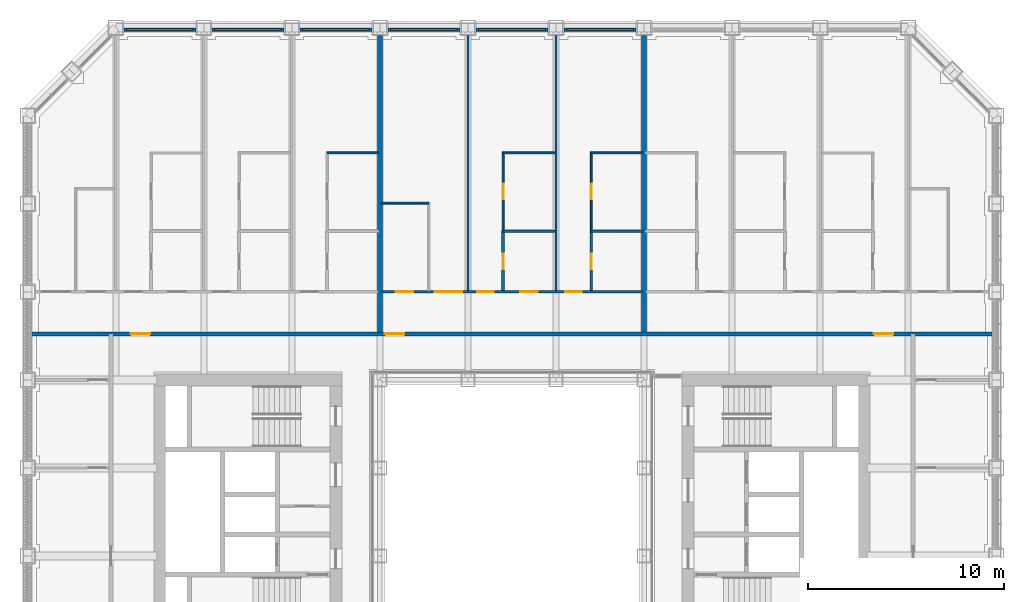
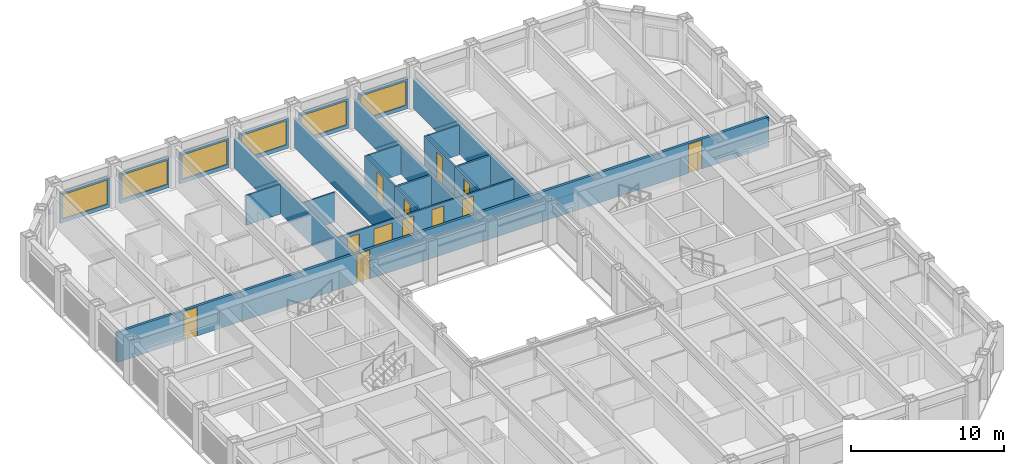
# One storey, part 14 of 21: 22 walls, 12 doors, 6 windows, 18 openings.
"""IFC4 building model written with IfcOpenShell, lengths in metres."""

from ifc_helpers import new_model, si_unit, direction, frame, frame_2d, origin, place, context, subcontext, project, spatial, rectangle, extrude, material, layer, layer_set, type_object, element, fill, save


model = new_model("IFC4")

# Units and contexts
model_context = context("Model", 3, precision=1e-05, world=origin(), true_north=direction((0.0, 1.0)))
body_context = subcontext(model_context, "Body", "Model", "MODEL_VIEW")
ifc_project = project(units=[si_unit("LENGTHUNIT", "METRE"), si_unit("AREAUNIT", "SQUARE_METRE"), si_unit("VOLUMEUNIT", "CUBIC_METRE"), si_unit("PLANEANGLEUNIT", "RADIAN"), si_unit("MASSUNIT", "GRAM", prefix="KILO")], contexts=[model_context])

# Site, building, storey
site_placement = place(None, origin())
site = spatial("IfcSite", under=ifc_project, at=site_placement, CompositionType="ELEMENT")
building_placement = place(site_placement, origin())
building = spatial("IfcBuilding", under=site, at=building_placement, Name="Msasa Ring Tower", CompositionType="ELEMENT")
storey_placement = place(building_placement, frame((0.0, 0.0, 75.5)))
storey = spatial("IfcBuildingStorey", under=building, at=storey_placement, Name="L19", CompositionType="ELEMENT", Elevation=75.5)

# Wall, opening, window
ifc_material_1 = material(Name="Terracotta rainscreen on blockwork", Category="masonry")
ifc_layer_1 = layer(ifc_material_1, 0.199951171875)
ifc_layer_set_1 = layer_set([ifc_layer_1], Name="FW1 TERRACOTTA-LINED INFILL BAY WALL 200")
wall_type_1 = type_object("IfcWallType", Name="FW1 TERRACOTTA-LINED INFILL BAY WALL 200", PredefinedType="SOLIDWALL", material=ifc_layer_set_1)
wall_1_placement = place(storey_placement, frame((-19.844970703125, 24.64990234375, 0.0), z_axis=(0.0, 0.0, 1.0), x_axis=(1.0, 0.0, 0.0)))
wall_1 = element("IfcWall", 1, at=wall_1_placement, inside=storey, type_object=wall_type_1, Name="Infill bay wall N L19 22", PredefinedType="SOLIDWALL", context=body_context, shape_type="SweptSolid", body=[
    extrude(rectangle(XDim=3.68994140625, YDim=0.199951171875, at=frame_2d((1.844970703125, 0.0))), origin(), (0.0, 0.0, 1.0), 2.37890625),
])
opening_1_placement = place(wall_1_placement, frame((0.14501953125, 0.0, 0.300048828125)))
opening_1 = element("IfcOpeningElement", 2, at=opening_1_placement, cuts=wall_1, Name="Opening WN1", PredefinedType="OPENING", context=body_context, shape_type="SweptSolid", body=[
    extrude(rectangle(XDim=3.39990234375, YDim=1.928955078125, at=frame_2d((1.699951171875, 0.96435546875))), frame((0.0, 0.10986328125, 0.0), z_axis=(0.0, -1.0, 0.0), x_axis=(1.0, 0.0, 0.0)), (0.0, 0.0, 1.0), 0.219970703125),
])
ifc_material_2 = material(Name="Aluminium frame with clear glass", Category="aluminium")
window_type = type_object("IfcWindowType", Name="WN1 RESIDENCE WINDOW 3400x1929", PartitioningType="SINGLE_PANEL", PredefinedType="WINDOW", material=ifc_material_2)
window_1_placement = place(opening_1_placement, origin())
window_1 = element("IfcWindow", 3, at=window_1_placement, inside=storey, type_object=window_type, Name="Window N L19 22", OverallHeight=1.928955078125, OverallWidth=3.39990234375, PartitioningType="SINGLE_PANEL", PredefinedType="WINDOW", context=body_context, shape_type="SweptSolid", body=[
    extrude(rectangle(XDim=3.39990234375, YDim=1.928955078125, at=frame_2d((1.699951171875, 0.96435546875))), frame((0.0, 0.030029296875, 0.0), z_axis=(0.0, -1.0, 0.0), x_axis=(1.0, 0.0, 0.0)), (0.0, 0.0, 1.0), 0.06005859375),
])
fill(opening_1, window_1)

wall_2_placement = place(storey_placement, frame((-15.344970703125, 24.64990234375, 0.0), z_axis=(0.0, 0.0, 1.0), x_axis=(1.0, 0.0, 0.0)))
wall_2 = element("IfcWall", 4, at=wall_2_placement, inside=storey, type_object=wall_type_1, Name="Infill bay wall N L19 23", PredefinedType="SOLIDWALL", context=body_context, shape_type="SweptSolid", body=[
    extrude(rectangle(XDim=3.68994140625, YDim=0.199951171875, at=frame_2d((1.844970703125, 0.0))), origin(), (0.0, 0.0, 1.0), 2.37890625),
])
opening_2_placement = place(wall_2_placement, frame((0.14501953125, 0.0, 0.300048828125)))
opening_2 = element("IfcOpeningElement", 5, at=opening_2_placement, cuts=wall_2, Name="Opening WN1", PredefinedType="OPENING", context=body_context, shape_type="SweptSolid", body=[
    extrude(rectangle(XDim=3.39990234375, YDim=1.928955078125, at=frame_2d((1.699951171875, 0.96435546875))), frame((0.0, 0.10986328125, 0.0), z_axis=(0.0, -1.0, 0.0), x_axis=(1.0, 0.0, 0.0)), (0.0, 0.0, 1.0), 0.219970703125),
])
window_2_placement = place(opening_2_placement, origin())
window_2 = element("IfcWindow", 6, at=window_2_placement, inside=storey, type_object=window_type, Name="Window N L19 23", OverallHeight=1.928955078125, OverallWidth=3.39990234375, PartitioningType="SINGLE_PANEL", PredefinedType="WINDOW", context=body_context, shape_type="SweptSolid", body=[
    extrude(rectangle(XDim=3.39990234375, YDim=1.928955078125, at=frame_2d((1.699951171875, 0.96435546875))), frame((0.0, 0.030029296875, 0.0), z_axis=(0.0, -1.0, 0.0), x_axis=(1.0, 0.0, 0.0)), (0.0, 0.0, 1.0), 0.06005859375),
])
fill(opening_2, window_2)

wall_3_placement = place(storey_placement, frame((-10.844970703125, 24.64990234375, 0.0), z_axis=(0.0, 0.0, 1.0), x_axis=(1.0, 0.0, 0.0)))
wall_3 = element("IfcWall", 7, at=wall_3_placement, inside=storey, type_object=wall_type_1, Name="Infill bay wall N L19 24", PredefinedType="SOLIDWALL", context=body_context, shape_type="SweptSolid", body=[
    extrude(rectangle(XDim=3.68994140625, YDim=0.199951171875, at=frame_2d((1.844970703125, 0.0))), origin(), (0.0, 0.0, 1.0), 2.37890625),
])
opening_3_placement = place(wall_3_placement, frame((0.14501953125, 0.0, 0.300048828125)))
opening_3 = element("IfcOpeningElement", 8, at=opening_3_placement, cuts=wall_3, Name="Opening WN1", PredefinedType="OPENING", context=body_context, shape_type="SweptSolid", body=[
    extrude(rectangle(XDim=3.39990234375, YDim=1.928955078125, at=frame_2d((1.699951171875, 0.96435546875))), frame((0.0, 0.10986328125, 0.0), z_axis=(0.0, -1.0, 0.0), x_axis=(1.0, 0.0, 0.0)), (0.0, 0.0, 1.0), 0.219970703125),
])
window_3_placement = place(opening_3_placement, origin())
window_3 = element("IfcWindow", 9, at=window_3_placement, inside=storey, type_object=window_type, Name="Window N L19 24", OverallHeight=1.928955078125, OverallWidth=3.39990234375, PartitioningType="SINGLE_PANEL", PredefinedType="WINDOW", context=body_context, shape_type="SweptSolid", body=[
    extrude(rectangle(XDim=3.39990234375, YDim=1.928955078125, at=frame_2d((1.699951171875, 0.96435546875))), frame((0.0, 0.030029296875, 0.0), z_axis=(0.0, -1.0, 0.0), x_axis=(1.0, 0.0, 0.0)), (0.0, 0.0, 1.0), 0.06005859375),
])
fill(opening_3, window_3)

wall_4_placement = place(storey_placement, frame((-6.344970703125, 24.64990234375, 0.0), z_axis=(0.0, 0.0, 1.0), x_axis=(1.0, 0.0, 0.0)))
wall_4 = element("IfcWall", 10, at=wall_4_placement, inside=storey, type_object=wall_type_1, Name="Infill bay wall N L19 25", PredefinedType="SOLIDWALL", context=body_context, shape_type="SweptSolid", body=[
    extrude(rectangle(XDim=3.68994140625, YDim=0.199951171875, at=frame_2d((1.844970703125, 0.0))), origin(), (0.0, 0.0, 1.0), 2.37890625),
])
opening_4_placement = place(wall_4_placement, frame((0.14501953125, 0.0, 0.300048828125)))
opening_4 = element("IfcOpeningElement", 11, at=opening_4_placement, cuts=wall_4, Name="Opening WN1", PredefinedType="OPENING", context=body_context, shape_type="SweptSolid", body=[
    extrude(rectangle(XDim=3.39990234375, YDim=1.928955078125, at=frame_2d((1.699951171875, 0.96435546875))), frame((0.0, 0.10986328125, 0.0), z_axis=(0.0, -1.0, 0.0), x_axis=(1.0, 0.0, 0.0)), (0.0, 0.0, 1.0), 0.219970703125),
])
window_4_placement = place(opening_4_placement, origin())
window_4 = element("IfcWindow", 12, at=window_4_placement, inside=storey, type_object=window_type, Name="Window N L19 25", OverallHeight=1.928955078125, OverallWidth=3.39990234375, PartitioningType="SINGLE_PANEL", PredefinedType="WINDOW", context=body_context, shape_type="SweptSolid", body=[
    extrude(rectangle(XDim=3.39990234375, YDim=1.928955078125, at=frame_2d((1.699951171875, 0.96435546875))), frame((0.0, 0.030029296875, 0.0), z_axis=(0.0, -1.0, 0.0), x_axis=(1.0, 0.0, 0.0)), (0.0, 0.0, 1.0), 0.06005859375),
])
fill(opening_4, window_4)

wall_5_placement = place(storey_placement, frame((-1.844970703125, 24.64990234375, 0.0), z_axis=(0.0, 0.0, 1.0), x_axis=(1.0, 0.0, 0.0)))
wall_5 = element("IfcWall", 13, at=wall_5_placement, inside=storey, type_object=wall_type_1, Name="Infill bay wall N L19 26", PredefinedType="SOLIDWALL", context=body_context, shape_type="SweptSolid", body=[
    extrude(rectangle(XDim=3.68994140625, YDim=0.199951171875, at=frame_2d((1.844970703125, 0.0))), origin(), (0.0, 0.0, 1.0), 2.37890625),
])
opening_5_placement = place(wall_5_placement, frame((0.14501953125, 0.0, 0.300048828125)))
opening_5 = element("IfcOpeningElement", 14, at=opening_5_placement, cuts=wall_5, Name="Opening WN1", PredefinedType="OPENING", context=body_context, shape_type="SweptSolid", body=[
    extrude(rectangle(XDim=3.39990234375, YDim=1.928955078125, at=frame_2d((1.699951171875, 0.96435546875))), frame((0.0, 0.10986328125, 0.0), z_axis=(0.0, -1.0, 0.0), x_axis=(1.0, 0.0, 0.0)), (0.0, 0.0, 1.0), 0.219970703125),
])
window_5_placement = place(opening_5_placement, origin())
window_5 = element("IfcWindow", 15, at=window_5_placement, inside=storey, type_object=window_type, Name="Window N L19 26", OverallHeight=1.928955078125, OverallWidth=3.39990234375, PartitioningType="SINGLE_PANEL", PredefinedType="WINDOW", context=body_context, shape_type="SweptSolid", body=[
    extrude(rectangle(XDim=3.39990234375, YDim=1.928955078125, at=frame_2d((1.699951171875, 0.96435546875))), frame((0.0, 0.030029296875, 0.0), z_axis=(0.0, -1.0, 0.0), x_axis=(1.0, 0.0, 0.0)), (0.0, 0.0, 1.0), 0.06005859375),
])
fill(opening_5, window_5)

wall_6_placement = place(storey_placement, frame((2.655029296875, 24.64990234375, 0.0), z_axis=(0.0, 0.0, 1.0), x_axis=(1.0, 0.0, 0.0)))
wall_6 = element("IfcWall", 16, at=wall_6_placement, inside=storey, type_object=wall_type_1, Name="Infill bay wall N L19 27", PredefinedType="SOLIDWALL", context=body_context, shape_type="SweptSolid", body=[
    extrude(rectangle(XDim=3.68994140625, YDim=0.199951171875, at=frame_2d((1.844970703125, 0.0))), origin(), (0.0, 0.0, 1.0), 2.37890625),
])
opening_6_placement = place(wall_6_placement, frame((0.14501953125, 0.0, 0.300048828125)))
opening_6 = element("IfcOpeningElement", 17, at=opening_6_placement, cuts=wall_6, Name="Opening WN1", PredefinedType="OPENING", context=body_context, shape_type="SweptSolid", body=[
    extrude(rectangle(XDim=3.39990234375, YDim=1.928955078125, at=frame_2d((1.699951171875, 0.96435546875))), frame((0.0, 0.10986328125, 0.0), z_axis=(0.0, -1.0, 0.0), x_axis=(1.0, 0.0, 0.0)), (0.0, 0.0, 1.0), 0.219970703125),
])
window_6_placement = place(opening_6_placement, origin())
window_6 = element("IfcWindow", 18, at=window_6_placement, inside=storey, type_object=window_type, Name="Window N L19 27", OverallHeight=1.928955078125, OverallWidth=3.39990234375, PartitioningType="SINGLE_PANEL", PredefinedType="WINDOW", context=body_context, shape_type="SweptSolid", body=[
    extrude(rectangle(XDim=3.39990234375, YDim=1.928955078125, at=frame_2d((1.699951171875, 0.96435546875))), frame((0.0, 0.030029296875, 0.0), z_axis=(0.0, -1.0, 0.0), x_axis=(1.0, 0.0, 0.0)), (0.0, 0.0, 1.0), 0.06005859375),
])
fill(opening_6, window_6)

# Wall, openings, doors
ifc_material_3 = material(Name="Concrete blockwork", Category="masonry")
ifc_layer_2 = layer(ifc_material_3, 0.199951171875)
ifc_layer_set_2 = layer_set([ifc_layer_2], Name="PT1 CORRIDOR WALL 200")
wall_type_2 = type_object("IfcWallType", Name="PT1 CORRIDOR WALL 200", PredefinedType="PARTITIONING", material=ifc_layer_set_2)
wall_7_placement = place(storey_placement, frame((-24.550048828125, 9.10009765625, 0.0), z_axis=(0.0, 0.0, 1.0), x_axis=(1.0, 0.0, 0.0)))
wall_7 = element("IfcWall", 19, at=wall_7_placement, inside=storey, type_object=wall_type_2, Name="Corridor wall L19-CORRN0", PredefinedType="PARTITIONING", context=body_context, shape_type="SweptSolid", body=[
    extrude(rectangle(XDim=49.10009765625, YDim=0.199951171875, at=frame_2d((24.550048828125, 0.0))), origin(), (0.0, 0.0, 1.0), 2.373291015625),
])
opening_7_placement = place(wall_7_placement, frame((5.050048828125, 0.0, 0.0)))
opening_7 = element("IfcOpeningElement", 20, at=opening_7_placement, cuts=wall_7, Name="Opening RE-034", PredefinedType="OPENING", context=body_context, shape_type="SweptSolid", body=[
    extrude(rectangle(XDim=1.0, YDim=2.300048828125, at=frame_2d((0.5, 1.14990234375))), frame((0.0, 0.10986328125, 0.0), z_axis=(0.0, -1.0, 0.0), x_axis=(1.0, 0.0, 0.0)), (0.0, 0.0, 1.0), 0.219970703125),
])
opening_8_placement = place(wall_7_placement, frame((18.050048828125, 0.0, 0.0)))
opening_8 = element("IfcOpeningElement", 21, at=opening_8_placement, cuts=wall_7, Name="Opening RE-035", PredefinedType="OPENING", context=body_context, shape_type="SweptSolid", body=[
    extrude(rectangle(XDim=1.0, YDim=2.300048828125, at=frame_2d((0.5, 1.14990234375))), frame((0.0, 0.10986328125, 0.0), z_axis=(0.0, -1.0, 0.0), x_axis=(1.0, 0.0, 0.0)), (0.0, 0.0, 1.0), 0.219970703125),
])
opening_9_placement = place(wall_7_placement, frame((43.050048828125, 0.0, 0.0)))
opening_9 = element("IfcOpeningElement", 22, at=opening_9_placement, cuts=wall_7, Name="Opening RE-036", PredefinedType="OPENING", context=body_context, shape_type="SweptSolid", body=[
    extrude(rectangle(XDim=1.0, YDim=2.300048828125, at=frame_2d((0.5, 1.14990234375))), frame((0.0, 0.10986328125, 0.0), z_axis=(0.0, -1.0, 0.0), x_axis=(1.0, 0.0, 0.0)), (0.0, 0.0, 1.0), 0.219970703125),
])
ifc_material_4 = material(Name="Timber door leaf in a steel frame", Category="steel")
door_type_1 = type_object("IfcDoorType", Name="D16 UPPER RESIDENCE ENTRANCE DOOR 1000x2300", OperationType="SINGLE_SWING_LEFT", PredefinedType="DOOR", material=ifc_material_4)
door_1_placement = place(opening_7_placement, origin())
door_1 = element("IfcDoor", 23, at=door_1_placement, inside=storey, type_object=door_type_1, Name="Door L19-UN00", OperationType="SINGLE_SWING_LEFT", OverallHeight=2.300048828125, OverallWidth=1.0, PredefinedType="DOOR", context=body_context, shape_type="SweptSolid", body=[
    extrude(rectangle(XDim=1.0, YDim=2.300048828125, at=frame_2d((0.5, 1.14990234375))), frame((0.0, 0.02490234375, 0.0), z_axis=(0.0, -1.0, 0.0), x_axis=(1.0, 0.0, 0.0)), (0.0, 0.0, 1.0), 0.050048828125),
])
fill(opening_7, door_1)
door_2_placement = place(opening_8_placement, origin())
door_2 = element("IfcDoor", 24, at=door_2_placement, inside=storey, type_object=door_type_1, Name="Door L19-UN01", OperationType="SINGLE_SWING_LEFT", OverallHeight=2.300048828125, OverallWidth=1.0, PredefinedType="DOOR", context=body_context, shape_type="SweptSolid", body=[
    extrude(rectangle(XDim=1.0, YDim=2.300048828125, at=frame_2d((0.5, 1.14990234375))), frame((0.0, 0.02490234375, 0.0), z_axis=(0.0, -1.0, 0.0), x_axis=(1.0, 0.0, 0.0)), (0.0, 0.0, 1.0), 0.050048828125),
])
fill(opening_8, door_2)
door_3_placement = place(opening_9_placement, origin())
door_3 = element("IfcDoor", 25, at=door_3_placement, inside=storey, type_object=door_type_1, Name="Door L19-UN02", OperationType="SINGLE_SWING_RIGHT", OverallHeight=2.300048828125, OverallWidth=1.0, PredefinedType="DOOR", context=body_context, shape_type="SweptSolid", body=[
    extrude(rectangle(XDim=1.0, YDim=2.300048828125, at=frame_2d((0.5, 1.14990234375))), frame((0.0, 0.02490234375, 0.0), z_axis=(0.0, -1.0, 0.0), x_axis=(1.0, 0.0, 0.0)), (0.0, 0.0, 1.0), 0.050048828125),
])
fill(opening_9, door_3)

# Walls
ifc_material_5 = material(Name="Gypsum board on steel studs", Category="steel")
ifc_layer_3 = layer(ifc_material_5, 0.10009765625)
ifc_layer_set_3 = layer_set([ifc_layer_3], Name="PT2 STUD PARTITION 100")
wall_type_3 = type_object("IfcWallType", Name="PT2 STUD PARTITION 100", PredefinedType="PARTITIONING", material=ifc_layer_set_3)
wall_8_placement = place(storey_placement, frame((-9.449951171875, 18.35302734375, 0.0), z_axis=(0.0, 0.0, 1.0), x_axis=(1.0, 0.0, 0.0)))
element("IfcWall", 26, at=wall_8_placement, inside=storey, type_object=wall_type_3, Name="Partition L19-UN00WY3", PredefinedType="PARTITIONING", context=body_context, shape_type="SweptSolid", body=[
    extrude(rectangle(XDim=2.639892578125, YDim=0.10009765625, at=frame_2d((1.31982421875, 0.0))), origin(), (0.0, 0.0, 1.0), 2.373291015625),
])
wall_9_placement = place(storey_placement, frame((-6.6826171875, 15.79248046875, 0.0), z_axis=(0.0, 0.0, 1.0), x_axis=(1.0, 0.0, 0.0)))
element("IfcWall", 27, at=wall_9_placement, inside=storey, type_object=wall_type_3, Name="Partition L19-UN01KY", PredefinedType="PARTITIONING", context=body_context, shape_type="SweptSolid", body=[
    extrude(rectangle(XDim=2.4326171875, YDim=0.10009765625, at=frame_2d((1.21630859375, 0.0))), origin(), (0.0, 0.0, 1.0), 2.373291015625),
])

# Wall, opening, door
wall_10_placement = place(storey_placement, frame((-0.449951171875, 14.39990234375, 0.0), z_axis=(0.0, 0.0, 1.0), x_axis=(0.0, 1.0, 0.0)))
wall_10 = element("IfcWall", 28, at=wall_10_placement, inside=storey, type_object=wall_type_3, Name="Partition L19-UN01WX1", PredefinedType="PARTITIONING", context=body_context, shape_type="SweptSolid", body=[
    extrude(rectangle(XDim=4.003173828125, YDim=0.10009765625, at=frame_2d((2.00146484375, 0.0))), origin(), (0.0, 0.0, 1.0), 2.373291015625),
])
opening_10_placement = place(wall_10_placement, frame((1.576416015625, 0.0, 0.0)))
opening_10 = element("IfcOpeningElement", 29, at=opening_10_placement, cuts=wall_10, Name="Opening RE-004", PredefinedType="OPENING", context=body_context, shape_type="SweptSolid", body=[
    extrude(rectangle(XDim=0.800048828125, YDim=2.10009765625, at=frame_2d((0.39990234375, 1.050048828125))), frame((0.0, 0.06005859375, 0.0), z_axis=(0.0, -1.0, 0.0), x_axis=(1.0, 0.0, 0.0)), (0.0, 0.0, 1.0), 0.1201171875),
])
ifc_material_6 = material(Name="Timber door leaf in a steel frame", Category="steel")
door_type_2 = type_object("IfcDoorType", Name="D60 DRESSING ROOM DOOR 800x2100", OperationType="SINGLE_SWING_LEFT", PredefinedType="DOOR", material=ifc_material_6)
door_4_placement = place(opening_10_placement, origin())
door_4 = element("IfcDoor", 30, at=door_4_placement, inside=storey, type_object=door_type_2, Name="Door L19-UN01W1", OperationType="SINGLE_SWING_LEFT", OverallHeight=2.10009765625, OverallWidth=0.800048828125, PredefinedType="DOOR", context=body_context, shape_type="SweptSolid", body=[
    extrude(rectangle(XDim=0.800048828125, YDim=2.10009765625, at=frame_2d((0.39990234375, 1.050048828125))), frame((0.0, 0.02490234375, 0.0), z_axis=(0.0, -1.0, 0.0), x_axis=(1.0, 0.0, 0.0)), (0.0, 0.0, 1.0), 0.050048828125),
])
fill(opening_10, door_4)

# Wall
wall_11_placement = place(storey_placement, frame((-0.449951171875, 18.35302734375, 0.0), z_axis=(0.0, 0.0, 1.0), x_axis=(1.0, 0.0, 0.0)))
element("IfcWall", 31, at=wall_11_placement, inside=storey, type_object=wall_type_3, Name="Partition L19-UN01WY1", PredefinedType="PARTITIONING", context=body_context, shape_type="SweptSolid", body=[
    extrude(rectangle(XDim=2.639892578125, YDim=0.10009765625, at=frame_2d((1.31982421875, 0.0))), origin(), (0.0, 0.0, 1.0), 2.373291015625),
])

# Wall, opening, door
wall_12_placement = place(storey_placement, frame((4.050048828125, 14.39990234375, 0.0), z_axis=(0.0, 0.0, 1.0), x_axis=(0.0, 1.0, 0.0)))
wall_12 = element("IfcWall", 32, at=wall_12_placement, inside=storey, type_object=wall_type_3, Name="Partition L19-UN01WX2", PredefinedType="PARTITIONING", context=body_context, shape_type="SweptSolid", body=[
    extrude(rectangle(XDim=4.003173828125, YDim=0.10009765625, at=frame_2d((2.00146484375, 0.0))), origin(), (0.0, 0.0, 1.0), 2.373291015625),
])
opening_11_placement = place(wall_12_placement, frame((1.576416015625, 0.0, 0.0)))
opening_11 = element("IfcOpeningElement", 33, at=opening_11_placement, cuts=wall_12, Name="Opening RE-005", PredefinedType="OPENING", context=body_context, shape_type="SweptSolid", body=[
    extrude(rectangle(XDim=0.800048828125, YDim=2.10009765625, at=frame_2d((0.39990234375, 1.050048828125))), frame((0.0, 0.06005859375, 0.0), z_axis=(0.0, -1.0, 0.0), x_axis=(1.0, 0.0, 0.0)), (0.0, 0.0, 1.0), 0.1201171875),
])
door_5_placement = place(opening_11_placement, origin())
door_5 = element("IfcDoor", 34, at=door_5_placement, inside=storey, type_object=door_type_2, Name="Door L19-UN01W2", OperationType="SINGLE_SWING_LEFT", OverallHeight=2.10009765625, OverallWidth=0.800048828125, PredefinedType="DOOR", context=body_context, shape_type="SweptSolid", body=[
    extrude(rectangle(XDim=0.800048828125, YDim=2.10009765625, at=frame_2d((0.39990234375, 1.050048828125))), frame((0.0, 0.02490234375, 0.0), z_axis=(0.0, -1.0, 0.0), x_axis=(1.0, 0.0, 0.0)), (0.0, 0.0, 1.0), 0.050048828125),
])
fill(opening_11, door_5)

# Walls
wall_13_placement = place(storey_placement, frame((4.050048828125, 18.35302734375, 0.0), z_axis=(0.0, 0.0, 1.0), x_axis=(1.0, 0.0, 0.0)))
element("IfcWall", 35, at=wall_13_placement, inside=storey, type_object=wall_type_3, Name="Partition L19-UN01WY2", PredefinedType="PARTITIONING", context=body_context, shape_type="SweptSolid", body=[
    extrude(rectangle(XDim=2.639892578125, YDim=0.10009765625, at=frame_2d((1.31982421875, 0.0))), origin(), (0.0, 0.0, 1.0), 2.373291015625),
])
ifc_material_7 = material(Name="Dense concrete blockwork, plastered both faces", Category="masonry")
ifc_layer_4 = layer(ifc_material_7, 0.25)
ifc_layer_set_4 = layer_set([ifc_layer_4], Name="PT3 APARTMENT SEPARATING WALL 250")
wall_type_4 = type_object("IfcWallType", Name="PT3 APARTMENT SEPARATING WALL 250", PredefinedType="PARTITIONING", material=ifc_layer_set_4)
for number, where, z_axis, x_axis, name in (
    (36, (-6.75, 9.199951171875, 0.0), (0.0, 0.0, 1.0), (0.0, 1.0, 0.0), "Party wall L19-PWN-6.75"),
    (37, (6.75, 9.199951171875, 0.0), (0.0, 0.0, 1.0), (0.0, 1.0, 0.0), "Party wall L19-PWN+6.75"),
):
    element("IfcWall", number, at=place(storey_placement, frame(where, z_axis=z_axis, x_axis=x_axis)), inside=storey, type_object=wall_type_4, Name=name, PredefinedType="PARTITIONING", context=body_context, shape_type="SweptSolid", body=[
        extrude(rectangle(XDim=15.150146484375, YDim=0.25, at=frame_2d((7.5751953125, 0.0))), origin(), (0.0, 0.0, 1.0), 2.373291015625),
    ])

# Wall, opening, door
ifc_material_8 = material(Name="Moisture-resistant board on steel studs with a concealed cistern and pipe void, tiled", Category="steel")
ifc_layer_5 = layer(ifc_material_8, 0.14990234375)
ifc_layer_set_5 = layer_set([ifc_layer_5], Name="PT4 BATHROOM WET WALL 150")
wall_type_5 = type_object("IfcWallType", Name="PT4 BATHROOM WET WALL 150", PredefinedType="PARTITIONING", material=ifc_layer_set_5)
wall_14_placement = place(storey_placement, frame((-0.449951171875, 11.3125, 0.0), z_axis=(0.0, 0.0, 1.0), x_axis=(0.0, 1.0, 0.0)))
wall_14 = element("IfcWall", 38, at=wall_14_placement, inside=storey, type_object=wall_type_5, Name="Partition L19-UN01BX1", PredefinedType="PARTITIONING", context=body_context, shape_type="SweptSolid", body=[
    extrude(rectangle(XDim=3.08740234375, YDim=0.14990234375, at=frame_2d((1.543701171875, 0.0))), origin(), (0.0, 0.0, 1.0), 2.373291015625),
])
opening_12_placement = place(wall_14_placement, frame((1.08740234375, 0.0, 0.0)))
opening_12 = element("IfcOpeningElement", 39, at=opening_12_placement, cuts=wall_14, Name="Opening RE-012", PredefinedType="OPENING", context=body_context, shape_type="SweptSolid", body=[
    extrude(rectangle(XDim=0.800048828125, YDim=2.10009765625, at=frame_2d((0.39990234375, 1.050048828125))), frame((0.0, 0.0849609375, 0.0), z_axis=(0.0, -1.0, 0.0), x_axis=(1.0, 0.0, 0.0)), (0.0, 0.0, 1.0), 0.169921875),
])
ifc_material_9 = material(Name="Timber door leaf in a steel frame", Category="steel")
door_type_3 = type_object("IfcDoorType", Name="D21 POCKET SLIDING BATHROOM DOOR 800x2100", OperationType="SINGLE_SWING_LEFT", PredefinedType="DOOR", material=ifc_material_9)
door_6_placement = place(opening_12_placement, origin())
door_6 = element("IfcDoor", 40, at=door_6_placement, inside=storey, type_object=door_type_3, Name="Door L19-UN01B1", OperationType="SINGLE_SWING_LEFT", OverallHeight=2.10009765625, OverallWidth=0.800048828125, PredefinedType="DOOR", context=body_context, shape_type="SweptSolid", body=[
    extrude(rectangle(XDim=0.800048828125, YDim=2.10009765625, at=frame_2d((0.39990234375, 1.050048828125))), frame((0.0, 0.02490234375, 0.0), z_axis=(0.0, -1.0, 0.0), x_axis=(1.0, 0.0, 0.0)), (0.0, 0.0, 1.0), 0.050048828125),
])
fill(opening_12, door_6)

# Wall
wall_15_placement = place(storey_placement, frame((-0.449951171875, 14.35009765625, 0.0), z_axis=(0.0, 0.0, 1.0), x_axis=(1.0, 0.0, 0.0)))
element("IfcWall", 41, at=wall_15_placement, inside=storey, type_object=wall_type_5, Name="Partition L19-UN01BY1", PredefinedType="PARTITIONING", context=body_context, shape_type="SweptSolid", body=[
    extrude(rectangle(XDim=2.639892578125, YDim=0.14990234375, at=frame_2d((1.31982421875, 0.0))), origin(), (0.0, 0.0, 1.0), 2.373291015625),
])

# Wall, opening, door
wall_16_placement = place(storey_placement, frame((4.050048828125, 11.3125, 0.0), z_axis=(0.0, 0.0, 1.0), x_axis=(0.0, 1.0, 0.0)))
wall_16 = element("IfcWall", 42, at=wall_16_placement, inside=storey, type_object=wall_type_5, Name="Partition L19-UN01BX2", PredefinedType="PARTITIONING", context=body_context, shape_type="SweptSolid", body=[
    extrude(rectangle(XDim=3.08740234375, YDim=0.14990234375, at=frame_2d((1.543701171875, 0.0))), origin(), (0.0, 0.0, 1.0), 2.373291015625),
])
opening_13_placement = place(wall_16_placement, frame((1.08740234375, 0.0, 0.0)))
opening_13 = element("IfcOpeningElement", 43, at=opening_13_placement, cuts=wall_16, Name="Opening RE-013", PredefinedType="OPENING", context=body_context, shape_type="SweptSolid", body=[
    extrude(rectangle(XDim=0.800048828125, YDim=2.10009765625, at=frame_2d((0.39990234375, 1.050048828125))), frame((0.0, 0.0849609375, 0.0), z_axis=(0.0, -1.0, 0.0), x_axis=(1.0, 0.0, 0.0)), (0.0, 0.0, 1.0), 0.169921875),
])
door_7_placement = place(opening_13_placement, origin())
door_7 = element("IfcDoor", 44, at=door_7_placement, inside=storey, type_object=door_type_3, Name="Door L19-UN01B2", OperationType="SINGLE_SWING_LEFT", OverallHeight=2.10009765625, OverallWidth=0.800048828125, PredefinedType="DOOR", context=body_context, shape_type="SweptSolid", body=[
    extrude(rectangle(XDim=0.800048828125, YDim=2.10009765625, at=frame_2d((0.39990234375, 1.050048828125))), frame((0.0, 0.02490234375, 0.0), z_axis=(0.0, -1.0, 0.0), x_axis=(1.0, 0.0, 0.0)), (0.0, 0.0, 1.0), 0.050048828125),
])
fill(opening_13, door_7)

# Wall
wall_17_placement = place(storey_placement, frame((4.050048828125, 14.35009765625, 0.0), z_axis=(0.0, 0.0, 1.0), x_axis=(1.0, 0.0, 0.0)))
element("IfcWall", 45, at=wall_17_placement, inside=storey, type_object=wall_type_5, Name="Partition L19-UN01BY2", PredefinedType="PARTITIONING", context=body_context, shape_type="SweptSolid", body=[
    extrude(rectangle(XDim=2.639892578125, YDim=0.14990234375, at=frame_2d((1.31982421875, 0.0))), origin(), (0.0, 0.0, 1.0), 2.373291015625),
])

# Wall, openings, doors
ifc_material_10 = material(Name="Two layers of acoustic board each face on steel studs, mineral wool", Category="steel")
ifc_layer_6 = layer(ifc_material_10, 0.125)
ifc_layer_set_6 = layer_set([ifc_layer_6], Name="PT6 ACOUSTIC DOUBLE-BOARD PARTITION 125")
wall_type_6 = type_object("IfcWallType", Name="PT6 ACOUSTIC DOUBLE-BOARD PARTITION 125", PredefinedType="PARTITIONING", material=ifc_layer_set_6)
wall_18_placement = place(storey_placement, frame((-6.64990234375, 11.25, 0.0), z_axis=(0.0, 0.0, 1.0), x_axis=(1.0, 0.0, 0.0)))
wall_18 = element("IfcWall", 46, at=wall_18_placement, inside=storey, type_object=wall_type_6, Name="Partition L19-UN01HY", PredefinedType="PARTITIONING", context=body_context, shape_type="SweptSolid", body=[
    extrude(rectangle(XDim=13.2998046875, YDim=0.125, at=frame_2d((6.64990234375, 0.0))), origin(), (0.0, 0.0, 1.0), 2.373291015625),
])
opening_14_placement = place(wall_18_placement, frame((0.699951171875, 0.0, 0.0)))
opening_14 = element("IfcOpeningElement", 47, at=opening_14_placement, cuts=wall_18, Name="Opening RE-023", PredefinedType="OPENING", context=body_context, shape_type="SweptSolid", body=[
    extrude(rectangle(XDim=0.89990234375, YDim=2.10009765625, at=frame_2d((0.449951171875, 1.050048828125))), frame((0.0, 0.072509765625, 0.0), z_axis=(0.0, -1.0, 0.0), x_axis=(1.0, 0.0, 0.0)), (0.0, 0.0, 1.0), 0.14501953125),
])
opening_15_placement = place(wall_18_placement, frame((2.699951171875, 0.0, 0.0)))
opening_15 = element("IfcOpeningElement", 48, at=opening_15_placement, cuts=wall_18, Name="Opening RE-024", PredefinedType="OPENING", context=body_context, shape_type="SweptSolid", body=[
    extrude(rectangle(XDim=1.39990234375, YDim=2.10009765625, at=frame_2d((0.699951171875, 1.050048828125))), frame((0.0, 0.072509765625, 0.0), z_axis=(0.0, -1.0, 0.0), x_axis=(1.0, 0.0, 0.0)), (0.0, 0.0, 1.0), 0.14501953125),
])
opening_16_placement = place(wall_18_placement, frame((4.875, 0.0, 0.0)))
opening_16 = element("IfcOpeningElement", 49, at=opening_16_placement, cuts=wall_18, Name="Opening RE-025", PredefinedType="OPENING", context=body_context, shape_type="SweptSolid", body=[
    extrude(rectangle(XDim=0.85009765625, YDim=2.10009765625, at=frame_2d((0.425048828125, 1.050048828125))), frame((0.0, 0.072509765625, 0.0), z_axis=(0.0, -1.0, 0.0), x_axis=(1.0, 0.0, 0.0)), (0.0, 0.0, 1.0), 0.14501953125),
])
opening_17_placement = place(wall_18_placement, frame((7.070068359375, 0.0, 0.0)))
opening_17 = element("IfcOpeningElement", 50, at=opening_17_placement, cuts=wall_18, Name="Opening RE-026", PredefinedType="OPENING", context=body_context, shape_type="SweptSolid", body=[
    extrude(rectangle(XDim=0.89990234375, YDim=2.10009765625, at=frame_2d((0.449951171875, 1.050048828125))), frame((0.0, 0.072509765625, 0.0), z_axis=(0.0, -1.0, 0.0), x_axis=(1.0, 0.0, 0.0)), (0.0, 0.0, 1.0), 0.14501953125),
])
opening_18_placement = place(wall_18_placement, frame((9.375, 0.0, 0.0)))
opening_18 = element("IfcOpeningElement", 51, at=opening_18_placement, cuts=wall_18, Name="Opening RE-027", PredefinedType="OPENING", context=body_context, shape_type="SweptSolid", body=[
    extrude(rectangle(XDim=0.85009765625, YDim=2.10009765625, at=frame_2d((0.425048828125, 1.050048828125))), frame((0.0, 0.072509765625, 0.0), z_axis=(0.0, -1.0, 0.0), x_axis=(1.0, 0.0, 0.0)), (0.0, 0.0, 1.0), 0.14501953125),
])
ifc_material_11 = material(Name="Timber door leaf in a steel frame", Category="steel")
door_type_4 = type_object("IfcDoorType", Name="D14 BEDROOM DOOR 850x2100", OperationType="SINGLE_SWING_LEFT", PredefinedType="DOOR", material=ifc_material_11)
door_8_placement = place(opening_16_placement, origin())
door_8 = element("IfcDoor", 52, at=door_8_placement, inside=storey, type_object=door_type_4, Name="Door L19-UN01R1", OperationType="SINGLE_SWING_LEFT", OverallHeight=2.10009765625, OverallWidth=0.85009765625, PredefinedType="DOOR", context=body_context, shape_type="SweptSolid", body=[
    extrude(rectangle(XDim=0.85009765625, YDim=2.10009765625, at=frame_2d((0.425048828125, 1.050048828125))), frame((0.0, 0.02490234375, 0.0), z_axis=(0.0, -1.0, 0.0), x_axis=(1.0, 0.0, 0.0)), (0.0, 0.0, 1.0), 0.050048828125),
])
fill(opening_16, door_8)
door_9_placement = place(opening_18_placement, origin())
door_9 = element("IfcDoor", 53, at=door_9_placement, inside=storey, type_object=door_type_4, Name="Door L19-UN01R2", OperationType="SINGLE_SWING_RIGHT", OverallHeight=2.10009765625, OverallWidth=0.85009765625, PredefinedType="DOOR", context=body_context, shape_type="SweptSolid", body=[
    extrude(rectangle(XDim=0.85009765625, YDim=2.10009765625, at=frame_2d((0.425048828125, 1.050048828125))), frame((0.0, 0.02490234375, 0.0), z_axis=(0.0, -1.0, 0.0), x_axis=(1.0, 0.0, 0.0)), (0.0, 0.0, 1.0), 0.050048828125),
])
fill(opening_18, door_9)
ifc_material_12 = material(Name="Timber door leaf in a steel frame", Category="steel")
door_type_5 = type_object("IfcDoorType", Name="D15 LIVING ROOM PAIR OF GLAZED DOORS 1400x2100", OperationType="SINGLE_SWING_LEFT", PredefinedType="DOOR", material=ifc_material_12)
door_10_placement = place(opening_15_placement, origin())
door_10 = element("IfcDoor", 54, at=door_10_placement, inside=storey, type_object=door_type_5, Name="Door L19-UN01L", OperationType="SINGLE_SWING_LEFT", OverallHeight=2.10009765625, OverallWidth=1.39990234375, PredefinedType="DOOR", context=body_context, shape_type="SweptSolid", body=[
    extrude(rectangle(XDim=1.39990234375, YDim=2.10009765625, at=frame_2d((0.699951171875, 1.050048828125))), frame((0.0, 0.02490234375, 0.0), z_axis=(0.0, -1.0, 0.0), x_axis=(1.0, 0.0, 0.0)), (0.0, 0.0, 1.0), 0.050048828125),
])
fill(opening_15, door_10)
ifc_material_13 = material(Name="Timber door leaf in a steel frame", Category="steel")
door_type_6 = type_object("IfcDoorType", Name="D22 INTERNAL HALL DOOR 900x2100", OperationType="SINGLE_SWING_LEFT", PredefinedType="DOOR", material=ifc_material_13)
door_11_placement = place(opening_14_placement, origin())
door_11 = element("IfcDoor", 55, at=door_11_placement, inside=storey, type_object=door_type_6, Name="Door L19-UN01K", OperationType="SINGLE_SWING_LEFT", OverallHeight=2.10009765625, OverallWidth=0.89990234375, PredefinedType="DOOR", context=body_context, shape_type="SweptSolid", body=[
    extrude(rectangle(XDim=0.89990234375, YDim=2.10009765625, at=frame_2d((0.449951171875, 1.050048828125))), frame((0.0, 0.02490234375, 0.0), z_axis=(0.0, -1.0, 0.0), x_axis=(1.0, 0.0, 0.0)), (0.0, 0.0, 1.0), 0.050048828125),
])
fill(opening_14, door_11)
ifc_material_14 = material(Name="Timber door leaf in a steel frame", Category="steel")
door_type_7 = type_object("IfcDoorType", Name="D3 BATHROOM DOOR 900x2100", OperationType="SINGLE_SWING_LEFT", PredefinedType="DOOR", material=ifc_material_14)
door_12_placement = place(opening_17_placement, origin())
door_12 = element("IfcDoor", 56, at=door_12_placement, inside=storey, type_object=door_type_7, Name="Door L19-UN01BH1", OperationType="SINGLE_SWING_RIGHT", OverallHeight=2.10009765625, OverallWidth=0.89990234375, PredefinedType="DOOR", context=body_context, shape_type="SweptSolid", body=[
    extrude(rectangle(XDim=0.89990234375, YDim=2.10009765625, at=frame_2d((0.449951171875, 1.050048828125))), frame((0.0, 0.02490234375, 0.0), z_axis=(0.0, -1.0, 0.0), x_axis=(1.0, 0.0, 0.0)), (0.0, 0.0, 1.0), 0.050048828125),
])
fill(opening_17, door_12)

# Walls
for number, where, z_axis, x_axis, name in (
    (57, (-2.25, 11.3125, 0.0), (0.0, 0.0, 1.0), (0.0, 1.0, 0.0), "Partition L19-UN01P1"),
    (58, (2.25, 11.3125, 0.0), (0.0, 0.0, 1.0), (0.0, 1.0, 0.0), "Partition L19-UN01P2"),
):
    element("IfcWall", number, at=place(storey_placement, frame(where, z_axis=z_axis, x_axis=x_axis)), inside=storey, type_object=wall_type_6, Name=name, PredefinedType="PARTITIONING", context=body_context, shape_type="SweptSolid", body=[
        extrude(rectangle(XDim=13.03759765625, YDim=0.125, at=frame_2d((6.518798828125, 0.0))), origin(), (0.0, 0.0, 1.0), 2.373291015625),
    ])

save(model, "model.ifc")
